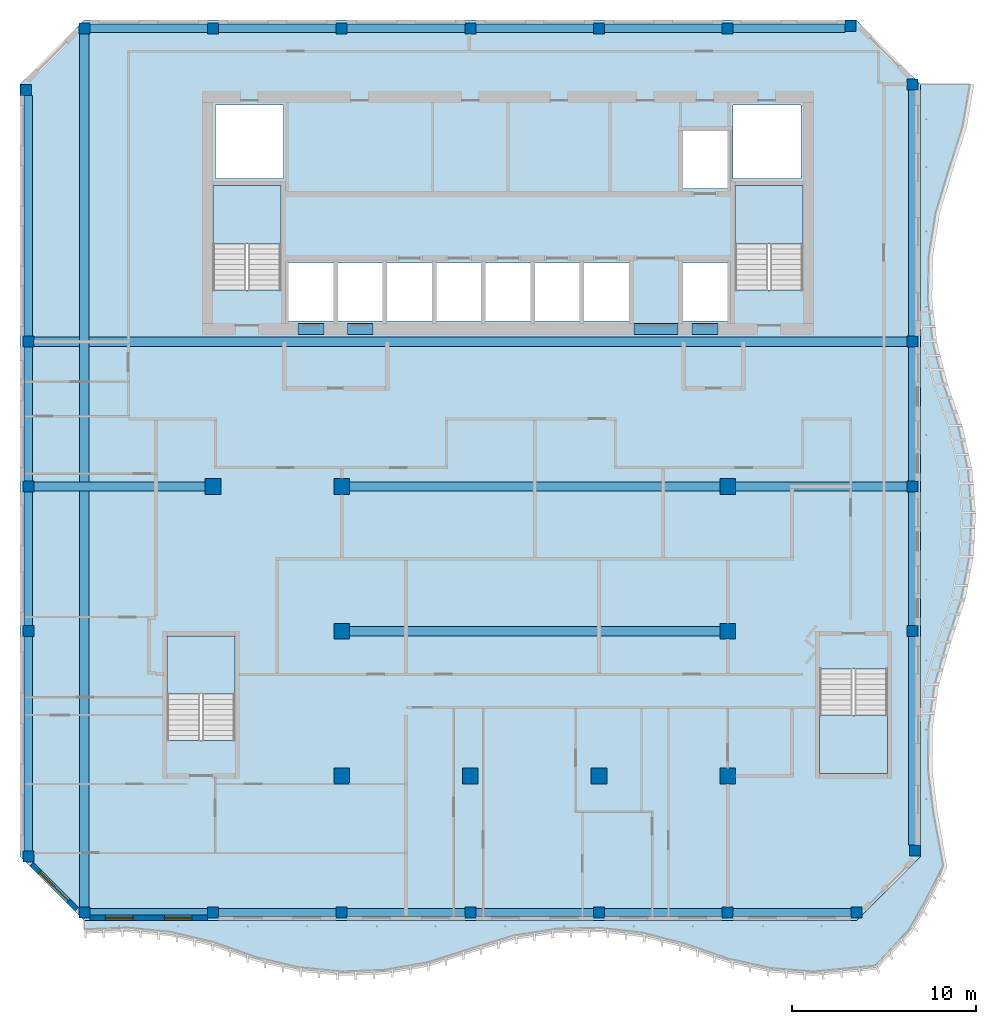
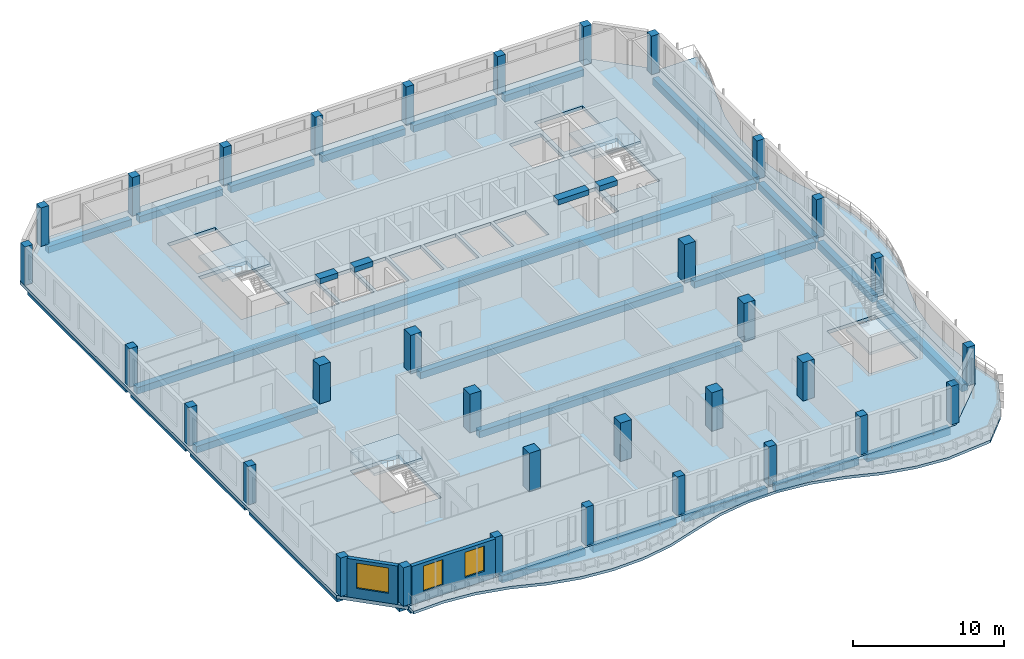
# One storey, part 1 of 18: 33 columns, 30 beams, 6 slabs, 3 windows, 2 walls, 3 openings, 4 elements without a shape of their own.
"""IFC4 building model written with IfcOpenShell, lengths in metres."""

from ifc_helpers import new_model, si_unit, direction, frame, frame_2d, origin, origin_2d, place, context, subcontext, project, spatial, polyline, rectangle, outline, extrude, source, transform, mapped, material, layer, layer_set, material_profile, profile_set, type_object, element, fill, aggregate, save


model = new_model("IFC4")

# Units and contexts
model_context = context("Model", 3, precision=1e-05, world=origin(), true_north=direction((0.0, 1.0)))
body_context = subcontext(model_context, "Body", "Model", "MODEL_VIEW")
ifc_project = project(units=[si_unit("LENGTHUNIT", "METRE"), si_unit("AREAUNIT", "SQUARE_METRE"), si_unit("VOLUMEUNIT", "CUBIC_METRE"), si_unit("PLANEANGLEUNIT", "RADIAN"), si_unit("MASSUNIT", "GRAM", prefix="KILO")], contexts=[model_context])

# Site, building, storey
site_placement = place(None, origin())
site = spatial("IfcSite", under=ifc_project, at=site_placement, CompositionType="ELEMENT")
building_placement = place(site_placement, origin())
building = spatial("IfcBuilding", under=site, at=building_placement, Name="Kilnfold Tower and Market Hall", CompositionType="ELEMENT")
storey_placement = place(building_placement, frame((0.0, 0.0, 312.0)))
storey = spatial("IfcBuildingStorey", under=building, at=storey_placement, Name="L78", CompositionType="ELEMENT", Elevation=312.0)

# Columns
ifc_material_1 = material(Name="Concrete C60", Category="concrete")
ifc_material_profile_1 = material_profile(ifc_material_1, rectangle(XDim=0.60009765625, YDim=0.60009765625, at=origin_2d()), Name="RC 600x600")
ifc_profile_set_1 = profile_set([ifc_material_profile_1], Name="Concrete C60")
column_type_1 = type_object("IfcColumnType", Name="COLUMN 600X600 C60", PredefinedType="COLUMN", material=ifc_profile_set_1)
shared_shape_1 = source(origin(), body_context, "Body", "SweptSolid", [
    extrude(rectangle(XDim=0.60009765625, YDim=0.60009765625, at=origin_2d()), origin(), (0.0, 0.0, 1.0), 3.1201171875),
])
for number, where, z_axis, x_axis, name in (
    (1, (-25.181884765625, 21.681884765625, 0.0), (0.0, 0.0, 1.0), (1.0, 0.0, 0.0), "Column C-B9-1G"),
    (2, (-25.050048828125, -20.0, 0.0), (0.0, 0.0, 1.0), (1.0, 0.0, 0.0), "Column C-B9-1B"),
    (3, (-25.050048828125, -7.75, 0.0), (0.0, 0.0, 1.0), (1.0, 0.0, 0.0), "Column C-B9-1D"),
    (4, (-25.050048828125, 0.125, 0.0), (0.0, 0.0, 1.0), (1.0, 0.0, 0.0), "Column C-B9-1E"),
    (5, (-25.050048828125, 8.0, 0.0), (0.0, 0.0, 1.0), (1.0, 0.0, 0.0), "Column C-B9-1F"),
    (6, (-22.0, -23.050048828125, 0.0), (0.0, 0.0, 1.0), (1.0, 0.0, 0.0), "Column C-B9-2A"),
    (7, (-22.0, 25.050048828125, 0.0), (0.0, 0.0, 1.0), (1.0, 0.0, 0.0), "Column C-B9-2H"),
    (8, (-15.0, -23.050048828125, 0.0), (0.0, 0.0, 1.0), (1.0, 0.0, 0.0), "Column C-B9-3A"),
    (9, (-15.0, 25.050048828125, 0.0), (0.0, 0.0, 1.0), (1.0, 0.0, 0.0), "Column C-B9-3H"),
    (10, (-8.0, -23.050048828125, 0.0), (0.0, 0.0, 1.0), (1.0, 0.0, 0.0), "Column C-B9-4A"),
    (11, (-8.0, 25.050048828125, 0.0), (0.0, 0.0, 1.0), (1.0, 0.0, 0.0), "Column C-B9-4H"),
    (12, (-1.0, -23.050048828125, 0.0), (0.0, 0.0, 1.0), (1.0, 0.0, 0.0), "Column C-B9-5A"),
    (13, (-1.0, 25.050048828125, 0.0), (0.0, 0.0, 1.0), (1.0, 0.0, 0.0), "Column C-B9-5H"),
    (14, (6.0, -23.050048828125, 0.0), (0.0, 0.0, 1.0), (1.0, 0.0, 0.0), "Column C-B9-6A"),
    (15, (6.0, 25.050048828125, 0.0), (0.0, 0.0, 1.0), (1.0, 0.0, 0.0), "Column C-B9-6H"),
    (16, (13.0, -23.050048828125, 0.0), (0.0, 0.0, 1.0), (1.0, 0.0, 0.0), "Column C-B9-7A"),
    (17, (13.0, 25.050048828125, 0.0), (0.0, 0.0, 1.0), (1.0, 0.0, 0.0), "Column C-B9-7H"),
    (18, (19.681884765625, 25.181884765625, 0.0), (0.0, 0.0, 1.0), (1.0, 0.0, 0.0), "Column C-B9-8H"),
    (19, (20.0, -23.050048828125, 0.0), (0.0, 0.0, 1.0), (1.0, 0.0, 0.0), "Column C-B9-8A"),
    (20, (23.050048828125, -7.75, 0.0), (0.0, 0.0, 1.0), (1.0, 0.0, 0.0), "Column C-B9-9D"),
    (21, (23.050048828125, 0.125, 0.0), (0.0, 0.0, 1.0), (1.0, 0.0, 0.0), "Column C-B9-9E"),
    (22, (23.050048828125, 8.0, 0.0), (0.0, 0.0, 1.0), (1.0, 0.0, 0.0), "Column C-B9-9F"),
    (23, (23.050048828125, 22.0, 0.0), (0.0, 0.0, 1.0), (1.0, 0.0, 0.0), "Column C-B9-9G"),
    (24, (23.181884765625, -19.681884765625, 0.0), (0.0, 0.0, 1.0), (1.0, 0.0, 0.0), "Column C-B9-9B"),
):
    element("IfcColumn", number, at=place(storey_placement, frame(where, z_axis=z_axis, x_axis=x_axis)), inside=storey, type_object=column_type_1, Name=name, PredefinedType="COLUMN", context=body_context, shape_type="MappedRepresentation", body=[
        mapped(shared_shape_1, transform((0.0, 0.0, 0.0))),
    ])
ifc_material_2 = material(Name="Concrete C60", Category="concrete")
ifc_material_profile_2 = material_profile(ifc_material_2, rectangle(XDim=0.85009765625, YDim=0.85009765625, at=origin_2d()), Name="RC 850x850")
ifc_profile_set_2 = profile_set([ifc_material_profile_2], Name="Concrete C60")
column_type_2 = type_object("IfcColumnType", Name="COLUMN 850X850 C60", PredefinedType="COLUMN", material=ifc_profile_set_2)
shared_shape_2 = source(origin(), body_context, "Body", "SweptSolid", [
    extrude(rectangle(XDim=0.85009765625, YDim=0.85009765625, at=origin_2d()), origin(), (0.0, 0.0, 1.0), 3.1201171875),
])
for number, where, z_axis, x_axis, name in (
    (25, (-15.0, 0.125, 0.0), (0.0, 0.0, 1.0), (1.0, 0.0, 0.0), "Column C-B9-3E"),
    (26, (-8.0, -15.625, 0.0), (0.0, 0.0, 1.0), (1.0, 0.0, 0.0), "Column C-B9-4C"),
    (27, (-8.0, -7.75, 0.0), (0.0, 0.0, 1.0), (1.0, 0.0, 0.0), "Column C-B9-4D"),
    (28, (-8.0, 0.125, 0.0), (0.0, 0.0, 1.0), (1.0, 0.0, 0.0), "Column C-B9-4E"),
    (29, (-1.0, -15.625, 0.0), (0.0, 0.0, 1.0), (1.0, 0.0, 0.0), "Column C-B9-5C"),
    (30, (6.0, -15.625, 0.0), (0.0, 0.0, 1.0), (1.0, 0.0, 0.0), "Column C-B9-6C"),
    (31, (13.0, -15.625, 0.0), (0.0, 0.0, 1.0), (1.0, 0.0, 0.0), "Column C-B9-7C"),
    (32, (13.0, -7.75, 0.0), (0.0, 0.0, 1.0), (1.0, 0.0, 0.0), "Column C-B9-7D"),
    (33, (13.0, 0.125, 0.0), (0.0, 0.0, 1.0), (1.0, 0.0, 0.0), "Column C-B9-7E"),
):
    element("IfcColumn", number, at=place(storey_placement, frame(where, z_axis=z_axis, x_axis=x_axis)), inside=storey, type_object=column_type_2, Name=name, PredefinedType="COLUMN", context=body_context, shape_type="MappedRepresentation", body=[
        mapped(shared_shape_2, transform((0.0, 0.0, 0.0))),
    ])

# Beams
ifc_material_3 = material(Name="Concrete C50", Category="concrete")
ifc_material_profile_3 = material_profile(ifc_material_3, rectangle(XDim=0.60009765625, YDim=0.419921875, at=origin_2d()), Name="RC 600x420")
ifc_profile_set_3 = profile_set([ifc_material_profile_3], Name="Concrete C50")
beam_type_1 = type_object("IfcBeamType", Name="COUPLING BEAM 600X420 C50", PredefinedType="BEAM", material=ifc_profile_set_3)
shared_shape_3 = source(origin(), body_context, "Body", "SweptSolid", [
    extrude(rectangle(XDim=0.60009765625, YDim=0.419921875, at=origin_2d()), origin(), (0.0, 0.0, 1.0), 1.400146484375),
])
beam_1_placement = place(storey_placement, frame((-10.3701171875, 8.699951171875, 2.909912109375), z_axis=(1.0, 0.0, 0.0), x_axis=(0.0, 1.0, 0.0)))
element("IfcBeam", 34, at=beam_1_placement, inside=storey, type_object=beam_type_1, Name="Coupling beam CB420-50-CORE.30", PredefinedType="BEAM", context=body_context, shape_type="MappedRepresentation", body=[
    mapped(shared_shape_3, transform((0.0, 0.0, 0.0))),
])
shared_shape_4 = source(origin(), body_context, "Body", "SweptSolid", [
    extrude(rectangle(XDim=0.60009765625, YDim=0.419921875, at=origin_2d()), origin(), (0.0, 0.0, 1.0), 1.39990234375),
])
for number, where, z_axis, x_axis, name in (
    (35, (-7.68994140625, 8.699951171875, 2.909912109375), (1.0, 0.0, 0.0), (0.0, 1.0, 0.0), "Coupling beam CB420-50-CORE.31"),
    (36, (11.070068359375, 8.699951171875, 2.909912109375), (1.0, 0.0, 0.0), (0.0, 1.0, 0.0), "Coupling beam CB420-50-CORE.33"),
):
    element("IfcBeam", number, at=place(storey_placement, frame(where, z_axis=z_axis, x_axis=x_axis)), inside=storey, type_object=beam_type_1, Name=name, PredefinedType="BEAM", context=body_context, shape_type="MappedRepresentation", body=[
        mapped(shared_shape_4, transform((0.0, 0.0, 0.0))),
    ])
shared_shape_5 = source(origin(), body_context, "Body", "SweptSolid", [
    extrude(rectangle(XDim=0.60009765625, YDim=0.419921875, at=origin_2d()), origin(), (0.0, 0.0, 1.0), 2.400146484375),
])
beam_2_placement = place(storey_placement, frame((7.889892578125, 8.699951171875, 2.909912109375), z_axis=(1.0, 0.0, 0.0), x_axis=(0.0, 1.0, 0.0)))
element("IfcBeam", 37, at=beam_2_placement, inside=storey, type_object=beam_type_1, Name="Coupling beam CB420-50-CORE.32", PredefinedType="BEAM", context=body_context, shape_type="MappedRepresentation", body=[
    mapped(shared_shape_5, transform((0.0, 0.0, 0.0))),
])
ifc_material_4 = material(Name="Concrete C45", Category="concrete")
ifc_material_profile_4 = material_profile(ifc_material_4, rectangle(XDim=0.449951171875, YDim=0.550048828125, at=origin_2d()), Name="RC 450x550")
ifc_profile_set_4 = profile_set([ifc_material_profile_4], Name="Concrete C45")
beam_type_2 = type_object("IfcBeamType", Name="EDGE BEAM 450X550 C45", PredefinedType="BEAM", material=ifc_profile_set_4)
shared_shape_6 = source(origin(), body_context, "Body", "SweptSolid", [
    extrude(rectangle(XDim=0.449951171875, YDim=0.550048828125, at=origin_2d()), origin(), (0.0, 0.0, 1.0), 6.39990234375),
])
for number, where, z_axis, x_axis, name in (
    (38, (-21.699951171875, -23.050048828125, -0.554931640625), (1.0, 0.0, 0.0), (0.0, 1.0, 0.0), "Beam EB550-B9.38"),
    (39, (-14.699951171875, -23.050048828125, -0.554931640625), (1.0, 0.0, 0.0), (0.0, 1.0, 0.0), "Beam EB550-B9.39"),
    (40, (-7.699951171875, -23.050048828125, -0.554931640625), (1.0, 0.0, 0.0), (0.0, 1.0, 0.0), "Beam EB550-B9.40"),
    (41, (-0.699951171875, -23.050048828125, -0.554931640625), (1.0, 0.0, 0.0), (0.0, 1.0, 0.0), "Beam EB550-B9.41"),
    (42, (6.300048828125, -23.050048828125, -0.554931640625), (1.0, 0.0, 0.0), (0.0, 1.0, 0.0), "Beam EB550-B9.42"),
    (43, (13.300048828125, -23.050048828125, -0.554931640625), (1.0, 0.0, 0.0), (0.0, 1.0, 0.0), "Beam EB550-B9.43"),
    (44, (-21.699951171875, 25.050048828125, -0.554931640625), (1.0, 0.0, 0.0), (0.0, 1.0, 0.0), "Beam EB550-B9.49"),
    (45, (-14.699951171875, 25.050048828125, -0.554931640625), (1.0, 0.0, 0.0), (0.0, 1.0, 0.0), "Beam EB550-B9.50"),
    (46, (-7.699951171875, 25.050048828125, -0.554931640625), (1.0, 0.0, 0.0), (0.0, 1.0, 0.0), "Beam EB550-B9.51"),
    (47, (-0.699951171875, 25.050048828125, -0.554931640625), (1.0, 0.0, 0.0), (0.0, 1.0, 0.0), "Beam EB550-B9.52"),
    (48, (6.300048828125, 25.050048828125, -0.554931640625), (1.0, 0.0, 0.0), (0.0, 1.0, 0.0), "Beam EB550-B9.53"),
):
    element("IfcBeam", number, at=place(storey_placement, frame(where, z_axis=z_axis, x_axis=x_axis)), inside=storey, type_object=beam_type_2, Name=name, PredefinedType="BEAM", context=body_context, shape_type="MappedRepresentation", body=[
        mapped(shared_shape_6, transform((0.0, 0.0, 0.0))),
    ])
ifc_material_5 = material(Name="Concrete C45", Category="concrete")
ifc_material_profile_5 = material_profile(ifc_material_5, rectangle(XDim=0.5, YDim=0.550048828125, at=origin_2d()), Name="RC 500x550")
ifc_profile_set_5 = profile_set([ifc_material_profile_5], Name="Concrete C45")
beam_type_3 = type_object("IfcBeamType", Name="BEAM 500X550 C45", PredefinedType="BEAM", material=ifc_profile_set_5)
shared_shape_7 = source(origin(), body_context, "Body", "SweptSolid", [
    extrude(rectangle(XDim=0.5, YDim=0.550048828125, at=origin_2d()), origin(), (0.0, 0.0, 1.0), 20.14990234375),
])
for number, where, z_axis, x_axis, name in (
    (49, (-7.574951171875, -7.75, -0.554931640625), (1.0, 0.0, 0.0), (0.0, 1.0, 0.0), "Beam BB550-B9.44"),
    (50, (-7.574951171875, 0.1201171875, -0.554931640625), (1.0, 0.0, 0.0), (0.0, 1.0, 0.0), "Beam BB550-B9.46"),
):
    element("IfcBeam", number, at=place(storey_placement, frame(where, z_axis=z_axis, x_axis=x_axis)), inside=storey, type_object=beam_type_3, Name=name, PredefinedType="BEAM", context=body_context, shape_type="MappedRepresentation", body=[
        mapped(shared_shape_7, transform((0.0, 0.0, 0.0))),
    ])
shared_shape_8 = source(origin(), body_context, "Body", "SweptSolid", [
    extrude(rectangle(XDim=0.5, YDim=0.550048828125, at=origin_2d()), origin(), (0.0, 0.0, 1.0), 9.324951171875),
])
for number, where, z_axis, x_axis, name in (
    (51, (-24.75, 0.1201171875, -0.554931640625), (1.0, 0.0, 0.0), (0.0, 1.0, 0.0), "Beam BB550-B9.45"),
    (52, (13.425048828125, 0.1201171875, -0.554931640625), (1.0, 0.0, 0.0), (0.0, 1.0, 0.0), "Beam BB550-B9.47"),
):
    element("IfcBeam", number, at=place(storey_placement, frame(where, z_axis=z_axis, x_axis=x_axis)), inside=storey, type_object=beam_type_3, Name=name, PredefinedType="BEAM", context=body_context, shape_type="MappedRepresentation", body=[
        mapped(shared_shape_8, transform((0.0, 0.0, 0.0))),
    ])
shared_shape_9 = source(origin(), body_context, "Body", "SweptSolid", [
    extrude(rectangle(XDim=0.5, YDim=0.550048828125, at=origin_2d()), origin(), (0.0, 0.0, 1.0), 47.5),
])
for number, where, z_axis, x_axis, name in (
    (53, (-24.75, 8.0, -0.554931640625), (1.0, 0.0, 0.0), (0.0, 1.0, 0.0), "Beam BB550-B9.48"),
    (54, (-22.0, -22.75, -0.554931640625), (0.0, 1.0, 0.0), (-1.0, 0.0, 0.0), "Beam BB550-B9.59"),
):
    element("IfcBeam", number, at=place(storey_placement, frame(where, z_axis=z_axis, x_axis=x_axis)), inside=storey, type_object=beam_type_3, Name=name, PredefinedType="BEAM", context=body_context, shape_type="MappedRepresentation", body=[
        mapped(shared_shape_9, transform((0.0, 0.0, 0.0))),
    ])
shared_shape_10 = source(origin(), body_context, "Body", "SweptSolid", [
    extrude(rectangle(XDim=0.449951171875, YDim=0.550048828125, at=origin_2d()), origin(), (0.0, 0.0, 1.0), 6.081787109375),
])
beam_3_placement = place(storey_placement, frame((13.300048828125, 25.050048828125, -0.554931640625), z_axis=(1.0, 0.0, 0.0), x_axis=(0.0, 1.0, 0.0)))
element("IfcBeam", 55, at=beam_3_placement, inside=storey, type_object=beam_type_2, Name="Beam EB550-B9.54", PredefinedType="BEAM", context=body_context, shape_type="MappedRepresentation", body=[
    mapped(shared_shape_10, transform((0.0, 0.0, 0.0))),
])
shared_shape_11 = source(origin(), body_context, "Body", "SweptSolid", [
    extrude(rectangle(XDim=0.449951171875, YDim=0.550048828125, at=origin_2d()), origin(), (0.0, 0.0, 1.0), 11.64990234375),
])
beam_4_placement = place(storey_placement, frame((-25.050048828125, -19.699951171875, -0.554931640625), z_axis=(0.0, 1.0, 0.0), x_axis=(-1.0, 0.0, 0.0)))
element("IfcBeam", 56, at=beam_4_placement, inside=storey, type_object=beam_type_2, Name="Beam EB550-B9.55", PredefinedType="BEAM", context=body_context, shape_type="MappedRepresentation", body=[
    mapped(shared_shape_11, transform((0.0, 0.0, 0.0))),
])
shared_shape_12 = source(origin(), body_context, "Body", "SweptSolid", [
    extrude(rectangle(XDim=0.449951171875, YDim=0.550048828125, at=origin_2d()), origin(), (0.0, 0.0, 1.0), 7.27490234375),
])
for number, where, z_axis, x_axis, name in (
    (57, (-25.050048828125, -7.449951171875, -0.554931640625), (0.0, 1.0, 0.0), (-1.0, 0.0, 0.0), "Beam EB550-B9.56"),
    (58, (-25.050048828125, 0.425048828125, -0.554931640625), (0.0, 1.0, 0.0), (-1.0, 0.0, 0.0), "Beam EB550-B9.57"),
    (59, (23.050048828125, -7.449951171875, -0.554931640625), (0.0, 1.0, 0.0), (-1.0, 0.0, 0.0), "Beam EB550-B9.61"),
    (60, (23.050048828125, 0.425048828125, -0.554931640625), (0.0, 1.0, 0.0), (-1.0, 0.0, 0.0), "Beam EB550-B9.62"),
):
    element("IfcBeam", number, at=place(storey_placement, frame(where, z_axis=z_axis, x_axis=x_axis)), inside=storey, type_object=beam_type_2, Name=name, PredefinedType="BEAM", context=body_context, shape_type="MappedRepresentation", body=[
        mapped(shared_shape_12, transform((0.0, 0.0, 0.0))),
    ])
shared_shape_13 = source(origin(), body_context, "Body", "SweptSolid", [
    extrude(rectangle(XDim=0.449951171875, YDim=0.550048828125, at=origin_2d()), origin(), (0.0, 0.0, 1.0), 13.081787109375),
])
beam_5_placement = place(storey_placement, frame((-25.050048828125, 8.300048828125, -0.554931640625), z_axis=(0.0, 1.0, 0.0), x_axis=(-1.0, 0.0, 0.0)))
element("IfcBeam", 61, at=beam_5_placement, inside=storey, type_object=beam_type_2, Name="Beam EB550-B9.58", PredefinedType="BEAM", context=body_context, shape_type="MappedRepresentation", body=[
    mapped(shared_shape_13, transform((0.0, 0.0, 0.0))),
])
shared_shape_14 = source(origin(), body_context, "Body", "SweptSolid", [
    extrude(rectangle(XDim=0.449951171875, YDim=0.550048828125, at=origin_2d()), origin(), (0.0, 0.0, 1.0), 11.331787109375),
])
beam_6_placement = place(storey_placement, frame((23.050048828125, -19.3818359375, -0.554931640625), z_axis=(0.0, 1.0, 0.0), x_axis=(-1.0, 0.0, 0.0)))
element("IfcBeam", 62, at=beam_6_placement, inside=storey, type_object=beam_type_2, Name="Beam EB550-B9.60", PredefinedType="BEAM", context=body_context, shape_type="MappedRepresentation", body=[
    mapped(shared_shape_14, transform((0.0, 0.0, 0.0))),
])
shared_shape_15 = source(origin(), body_context, "Body", "SweptSolid", [
    extrude(rectangle(XDim=0.449951171875, YDim=0.550048828125, at=origin_2d()), origin(), (0.0, 0.0, 1.0), 13.39990234375),
])
beam_7_placement = place(storey_placement, frame((23.050048828125, 8.300048828125, -0.554931640625), z_axis=(0.0, 1.0, 0.0), x_axis=(-1.0, 0.0, 0.0)))
element("IfcBeam", 63, at=beam_7_placement, inside=storey, type_object=beam_type_2, Name="Beam EB550-B9.63", PredefinedType="BEAM", context=body_context, shape_type="MappedRepresentation", body=[
    mapped(shared_shape_15, transform((0.0, 0.0, 0.0))),
])

# Slabs
ifc_material_6 = material(Name="Concrete C45", Category="concrete")
ifc_layer_1 = layer(ifc_material_6, 0.280029296875)
ifc_layer_set_1 = layer_set([ifc_layer_1], Name="Concrete C45")
slab_type_1 = type_object("IfcSlabType", Name="FLOOR SLAB 280", PredefinedType="FLOOR", material=ifc_layer_set_1)
shared_shape_16 = source(origin(), body_context, "Body", "SweptSolid", [
    extrude(outline(polyline([(-22.0, -23.5), (20.0, -23.5), (23.5, -20.0), (23.5, 22.0), (20.0, 25.5), (-22.0, 25.5), (-25.5, 22.0), (-25.5, -20.0), (-22.0, -23.5)]), holes=[polyline([(-13.800537109375, -8.00048828125), (-13.800537109375, -13.699462890625), (-17.49951171875, -13.699462890625), (-17.49951171875, -8.00048828125), (-13.800537109375, -8.00048828125)]), polyline([(-11.300537109375, 10.800537109375), (-14.99951171875, 10.800537109375), (-14.99951171875, 16.49951171875), (-11.300537109375, 16.49951171875), (-11.300537109375, 10.800537109375)]), polyline([(-11.175048828125, 16.875), (-14.875, 16.875), (-14.875, 20.875), (-11.175048828125, 20.875), (-11.175048828125, 16.875)]), polyline([(-8.455078125, 9.125), (-10.885009765625, 9.125), (-10.885009765625, 12.27490234375), (-8.455078125, 12.27490234375), (-8.455078125, 9.125)]), polyline([(-5.77490234375, 9.125), (-8.205078125, 9.125), (-8.205078125, 12.27490234375), (-5.77490234375, 12.27490234375), (-5.77490234375, 9.125)]), polyline([(-3.094970703125, 9.125), (-5.52490234375, 9.125), (-5.52490234375, 12.27490234375), (-3.094970703125, 12.27490234375), (-3.094970703125, 9.125)]), polyline([(-0.4150390625, 9.125), (-2.844970703125, 9.125), (-2.844970703125, 12.27490234375), (-0.4150390625, 12.27490234375), (-0.4150390625, 9.125)]), polyline([(2.264892578125, 9.125), (-0.1650390625, 9.125), (-0.1650390625, 12.27490234375), (2.264892578125, 12.27490234375), (2.264892578125, 9.125)]), polyline([(4.945068359375, 9.125), (2.514892578125, 9.125), (2.514892578125, 12.27490234375), (4.945068359375, 12.27490234375), (4.945068359375, 9.125)]), polyline([(7.625, 9.125), (5.195068359375, 9.125), (5.195068359375, 12.27490234375), (7.625, 12.27490234375), (7.625, 9.125)]), polyline([(12.985107421875, 9.125), (10.554931640625, 9.125), (10.554931640625, 12.27490234375), (12.985107421875, 12.27490234375), (12.985107421875, 9.125)]), polyline([(12.985107421875, 16.324951171875), (10.554931640625, 16.324951171875), (10.554931640625, 19.47509765625), (12.985107421875, 19.47509765625), (12.985107421875, 16.324951171875)]), polyline([(16.97509765625, 16.875), (13.27490234375, 16.875), (13.27490234375, 20.875), (16.97509765625, 20.875), (16.97509765625, 16.875)]), polyline([(17.099609375, 10.800537109375), (13.400390625, 10.800537109375), (13.400390625, 16.49951171875), (17.099609375, 16.49951171875), (17.099609375, 10.800537109375)]), polyline([(18.00048828125, -9.800537109375), (21.699462890625, -9.800537109375), (21.699462890625, -15.49951171875), (18.00048828125, -15.49951171875), (18.00048828125, -9.800537109375)])]), origin(), (0.0, 0.0, 1.0), 0.280029296875),
])
slab_1_placement = place(storey_placement, frame((0.0, 0.0, -0.280029296875)))
element("IfcSlab", 64, at=slab_1_placement, inside=storey, type_object=slab_type_1, Name="Floor slab L78", PredefinedType="FLOOR", context=body_context, shape_type="MappedRepresentation", body=[
    mapped(shared_shape_16, transform((0.0, 0.0, 0.0))),
])
ifc_material_7 = material(Name="Concrete C40/50", Category="concrete")
ifc_layer_2 = layer(ifc_material_7, 0.219970703125)
ifc_layer_set_2 = layer_set([ifc_layer_2], Name="Concrete C40/50")
slab_type_2 = type_object("IfcSlabType", Name="BALCONY SLAB 220", PredefinedType="FLOOR", material=ifc_layer_set_2)
shared_shape_17 = source(origin(), body_context, "Body", "SweptSolid", [
    extrude(outline(polyline([(-22.0, -23.5), (20.0, -23.5), (23.5, -20.0), (23.5, 22.0), (26.4052734375, 22.0), (25.998779296875, 19.666748046875), (25.250244140625, 17.333251953125), (24.540283203125, 15.0), (24.169921875, 12.666748046875), (24.1171875, 10.333251953125), (24.37939453125, 8.0), (24.9716796875, 5.666748046875), (25.787109375, 3.333251953125), (26.304931640625, 1.0), (26.498046875, -1.333251953125), (26.376708984375, -3.666748046875), (25.934814453125, -6.0), (25.156005859375, -8.333251953125), (24.484375, -10.666748046875), (24.14892578125, -13.0), (24.13037109375, -15.333251953125), (24.42724609375, -17.666748046875), (24.9384765625, -20.595703125), (23.856201171875, -22.689697265625), (23.0048828125, -24.17138671875), (21.10107421875, -26.158203125), (17.666748046875, -26.497802734375), (15.333251953125, -26.304443359375), (13.0, -25.785888671875), (10.666748046875, -24.97021484375), (8.333251953125, -24.378662109375), (6.0, -24.116943359375), (3.666748046875, -24.170166015625), (1.333251953125, -24.541259765625), (-1.0, -25.251953125), (-3.333251953125, -26.0), (-5.666748046875, -26.405517578125), (-8.0, -26.4921875), (-10.333251953125, -26.264404296875), (-12.666748046875, -25.709228515625), (-15.0, -24.889404296875), (-17.333251953125, -24.3349609375), (-19.666748046875, -24.107666015625), (-22.0, -24.19482421875), (-22.0, -23.5)])), origin(), (0.0, 0.0, 1.0), 0.219970703125),
])
slab_2_placement = place(storey_placement, frame((0.0, 0.0, -0.219970703125)))
element("IfcSlab", 65, at=slab_2_placement, inside=storey, type_object=slab_type_2, Name="Balcony slab L78", PredefinedType="FLOOR", context=body_context, shape_type="MappedRepresentation", body=[
    mapped(shared_shape_17, transform((0.0, 0.0, 0.0))),
])

# Stair, slab
ifc_material_8 = material(Name="Concrete C40/50", Category="concrete")
stair_type = type_object("IfcStairType", Name="CORE STAIR 1800", PredefinedType="HALF_TURN_STAIR", material=ifc_material_8)
stair_1_placement = place(storey_placement, origin())
stair_1 = element("IfcStair", 66, at=stair_1_placement, inside=storey, type_object=stair_type, Name="L78 ST1", PredefinedType="HALF_TURN_STAIR")
ifc_material_9 = material(Name="Concrete C40/50", Category="concrete")
ifc_layer_3 = layer(ifc_material_9, 0.199951171875)
ifc_layer_set_3 = layer_set([ifc_layer_3], Name="Concrete C40/50")
slab_type_3 = type_object("IfcSlabType", Name="CORE STAIR LANDING 200", PredefinedType="LANDING", material=ifc_layer_set_3)
shared_shape_18 = source(origin(), body_context, "Body", "SweptSolid", [
    extrude(outline(polyline([(-11.300048828125, 13.320068359375), (-11.300048828125, 16.5), (-15.0, 16.5), (-15.0, 13.320068359375), (-11.300048828125, 13.320068359375)])), origin(), (0.0, 0.0, 1.0), 0.199951171875),
])
slab_3_placement = place(storey_placement, frame((0.0, 0.0, 1.5)))
slab_3 = element("IfcSlab", 67, at=slab_3_placement, type_object=slab_type_3, Name="ST1 landing 1", PredefinedType="LANDING", context=body_context, shape_type="MappedRepresentation", body=[
    mapped(shared_shape_18, transform((0.0, 0.0, 0.0))),
])
aggregate(stair_1, [slab_3])

stair_2_placement = place(storey_placement, origin())
stair_2 = element("IfcStair", 68, at=stair_2_placement, inside=storey, type_object=stair_type, Name="L78 ST2", PredefinedType="HALF_TURN_STAIR")
shared_shape_19 = source(origin(), body_context, "Body", "SweptSolid", [
    extrude(outline(polyline([(17.10009765625, 13.320068359375), (17.10009765625, 16.5), (13.39990234375, 16.5), (13.39990234375, 13.320068359375), (17.10009765625, 13.320068359375)])), origin(), (0.0, 0.0, 1.0), 0.199951171875),
])
slab_4_placement = place(storey_placement, frame((0.0, 0.0, 1.5)))
slab_4 = element("IfcSlab", 69, at=slab_4_placement, type_object=slab_type_3, Name="ST2 landing 1", PredefinedType="LANDING", context=body_context, shape_type="MappedRepresentation", body=[
    mapped(shared_shape_19, transform((0.0, 0.0, 0.0))),
])
aggregate(stair_2, [slab_4])

stair_3_placement = place(storey_placement, origin())
stair_3 = element("IfcStair", 70, at=stair_3_placement, inside=storey, type_object=stair_type, Name="L78 ST3", PredefinedType="HALF_TURN_STAIR")
shared_shape_20 = source(origin(), body_context, "Body", "SweptSolid", [
    extrude(outline(polyline([(-13.800048828125, -11.179931640625), (-13.800048828125, -8.0), (-17.5, -8.0), (-17.5, -11.179931640625), (-13.800048828125, -11.179931640625)])), origin(), (0.0, 0.0, 1.0), 0.199951171875),
])
slab_5_placement = place(storey_placement, frame((0.0, 0.0, 1.5)))
slab_5 = element("IfcSlab", 71, at=slab_5_placement, type_object=slab_type_3, Name="ST3 landing 1", PredefinedType="LANDING", context=body_context, shape_type="MappedRepresentation", body=[
    mapped(shared_shape_20, transform((0.0, 0.0, 0.0))),
])
aggregate(stair_3, [slab_5])

stair_4_placement = place(storey_placement, origin())
stair_4 = element("IfcStair", 72, at=stair_4_placement, inside=storey, type_object=stair_type, Name="L78 ST4", PredefinedType="HALF_TURN_STAIR")
shared_shape_21 = source(origin(), body_context, "Body", "SweptSolid", [
    extrude(outline(polyline([(18.0, -12.320068359375), (18.0, -15.5), (21.699951171875, -15.5), (21.699951171875, -12.320068359375), (18.0, -12.320068359375)])), origin(), (0.0, 0.0, 1.0), 0.199951171875),
])
slab_6_placement = place(storey_placement, frame((0.0, 0.0, 1.5)))
slab_6 = element("IfcSlab", 73, at=slab_6_placement, type_object=slab_type_3, Name="ST4 landing 1", PredefinedType="LANDING", context=body_context, shape_type="MappedRepresentation", body=[
    mapped(shared_shape_21, transform((0.0, 0.0, 0.0))),
])
aggregate(stair_4, [slab_6])

# Wall, openings, windows
ifc_material_10 = material(Name="Precast concrete C50/60", Category="concrete")
ifc_layer_4 = layer(ifc_material_10, 0.300048828125)
ifc_layer_set_4 = layer_set([ifc_layer_4], Name="Precast concrete C50/60")
wall_type = type_object("IfcWallType", Name="PRECAST WALL 300", PredefinedType="SOLIDWALL", material=ifc_layer_set_4)
shared_shape_22 = source(origin(), body_context, "Body", "SweptSolid", [
    extrude(rectangle(XDim=6.39990234375, YDim=0.300048828125, at=frame_2d((3.199951171875, 0.0))), origin(), (0.0, 0.0, 1.0), 3.1201171875),
])
wall_1_placement = place(storey_placement, frame((-21.699951171875, -23.35009765625, 0.0), z_axis=(0.0, 0.0, 1.0), x_axis=(1.0, 0.0, 0.0)))
wall_1 = element("IfcWall", 74, at=wall_1_placement, inside=storey, type_object=wall_type, Name="External wall L78 S", PredefinedType="SOLIDWALL", context=body_context, shape_type="MappedRepresentation", body=[
    mapped(shared_shape_22, transform((0.0, 0.0, 0.0))),
])
opening_1_placement = place(wall_1_placement, frame((0.85009765625, 0.0, 0.800048828125)))
opening_1 = element("IfcOpeningElement", 75, at=opening_1_placement, cuts=wall_1, Name="Opening W5", PredefinedType="OPENING", context=body_context, shape_type="SweptSolid", body=[
    extrude(rectangle(XDim=1.5, YDim=2.050048828125, at=frame_2d((0.75, 1.02490234375))), frame((0.0, 0.16015625, 0.0), z_axis=(0.0, -1.0, 0.0), x_axis=(1.0, 0.0, 0.0)), (0.0, 0.0, 1.0), 0.320068359375),
])
opening_2_placement = place(wall_1_placement, frame((4.050048828125, 0.0, 0.800048828125)))
opening_2 = element("IfcOpeningElement", 76, at=opening_2_placement, cuts=wall_1, Name="Opening W5", PredefinedType="OPENING", context=body_context, shape_type="SweptSolid", body=[
    extrude(rectangle(XDim=1.5, YDim=2.050048828125, at=frame_2d((0.75, 1.02490234375))), frame((0.0, 0.16015625, 0.0), z_axis=(0.0, -1.0, 0.0), x_axis=(1.0, 0.0, 0.0)), (0.0, 0.0, 1.0), 0.320068359375),
])
ifc_material_11 = material(Name="Aluminium frame and double glazing", Category="aluminium")
window_type_1 = type_object("IfcWindowType", Name="WINDOW W5 1500X2050", PartitioningType="SINGLE_PANEL", PredefinedType="WINDOW", material=ifc_material_11)
window_1_placement = place(opening_1_placement, origin())
window_1 = element("IfcWindow", 77, at=window_1_placement, inside=storey, type_object=window_type_1, Name="Window W5 L78 S-1", OverallHeight=2.050048828125, OverallWidth=1.5, PartitioningType="SINGLE_PANEL", PredefinedType="WINDOW", context=body_context, shape_type="SweptSolid", body=[
    extrude(rectangle(XDim=1.5, YDim=2.050048828125, at=frame_2d((0.75, 1.02490234375))), frame((0.0, 0.030029296875, 0.0), z_axis=(0.0, -1.0, 0.0), x_axis=(1.0, 0.0, 0.0)), (0.0, 0.0, 1.0), 0.06005859375),
])
fill(opening_1, window_1)
window_2_placement = place(opening_2_placement, origin())
window_2 = element("IfcWindow", 78, at=window_2_placement, inside=storey, type_object=window_type_1, Name="Window W5 L78 S-2", OverallHeight=2.050048828125, OverallWidth=1.5, PartitioningType="SINGLE_PANEL", PredefinedType="WINDOW", context=body_context, shape_type="SweptSolid", body=[
    extrude(rectangle(XDim=1.5, YDim=2.050048828125, at=frame_2d((0.75, 1.02490234375))), frame((0.0, 0.030029296875, 0.0), z_axis=(0.0, -1.0, 0.0), x_axis=(1.0, 0.0, 0.0)), (0.0, 0.0, 1.0), 0.06005859375),
])
fill(opening_2, window_2)

# Wall, opening, window
shared_shape_23 = source(origin(), body_context, "Body", "SweptSolid", [
    extrude(rectangle(XDim=3.46484375, YDim=0.300048828125, at=frame_2d((1.732421875, 0.0))), origin(), (0.0, 0.0, 1.0), 3.1201171875),
])
wall_2_placement = place(storey_placement, frame((-24.868896484375, -20.4189453125, 0.0), z_axis=(0.0, 0.0, 1.0), x_axis=(0.707106781187, -0.707106781187, 0.0)))
wall_2 = element("IfcWall", 79, at=wall_2_placement, inside=storey, type_object=wall_type, Name="External wall L78 SW", PredefinedType="SOLIDWALL", context=body_context, shape_type="MappedRepresentation", body=[
    mapped(shared_shape_23, transform((0.0, 0.0, 0.0))),
])
opening_3_placement = place(wall_2_placement, frame((0.63232421875, 0.0, 0.800048828125)))
opening_3 = element("IfcOpeningElement", 80, at=opening_3_placement, cuts=wall_2, Name="Opening W3", PredefinedType="OPENING", context=body_context, shape_type="SweptSolid", body=[
    extrude(rectangle(XDim=2.199951171875, YDim=2.050048828125, at=frame_2d((1.10009765625, 1.02490234375))), frame((0.0, 0.16015625, 0.0), z_axis=(0.0, -1.0, 0.0), x_axis=(1.0, 0.0, 0.0)), (0.0, 0.0, 1.0), 0.320068359375),
])
ifc_material_12 = material(Name="Aluminium frame and double glazing", Category="aluminium")
window_type_2 = type_object("IfcWindowType", Name="WINDOW W3 2200X2050", PartitioningType="SINGLE_PANEL", PredefinedType="WINDOW", material=ifc_material_12)
window_3_placement = place(opening_3_placement, origin())
window_3 = element("IfcWindow", 81, at=window_3_placement, inside=storey, type_object=window_type_2, Name="Window W3 L78 SW-1", OverallHeight=2.050048828125, OverallWidth=2.199951171875, PartitioningType="SINGLE_PANEL", PredefinedType="WINDOW", context=body_context, shape_type="SweptSolid", body=[
    extrude(rectangle(XDim=2.199951171875, YDim=2.050048828125, at=frame_2d((1.10009765625, 1.02490234375))), frame((0.0, 0.030029296875, 0.0), z_axis=(0.0, -1.0, 0.0), x_axis=(1.0, 0.0, 0.0)), (0.0, 0.0, 1.0), 0.06005859375),
])
fill(opening_3, window_3)

save(model, "model.ifc")
